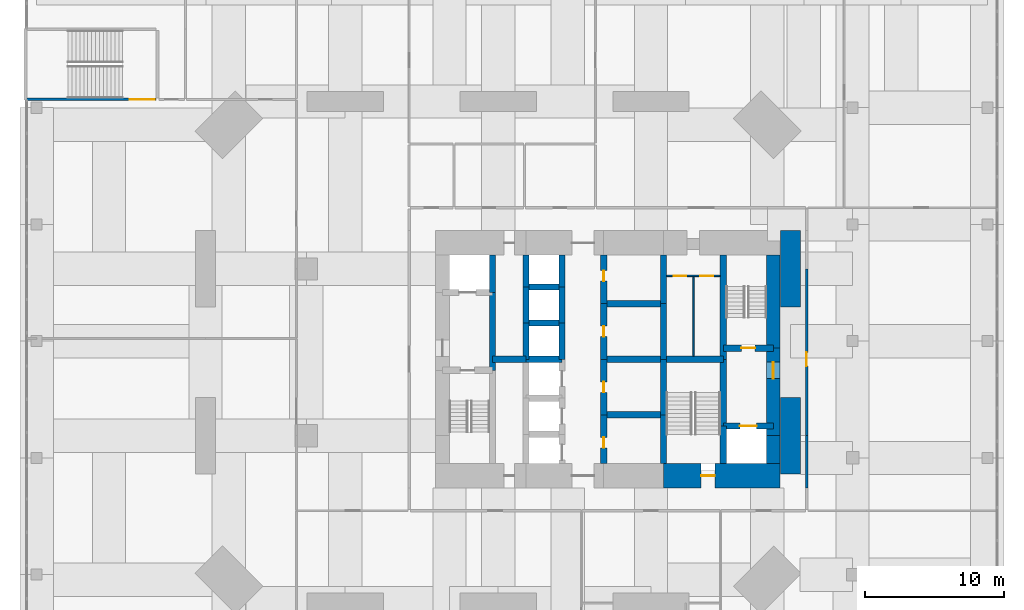
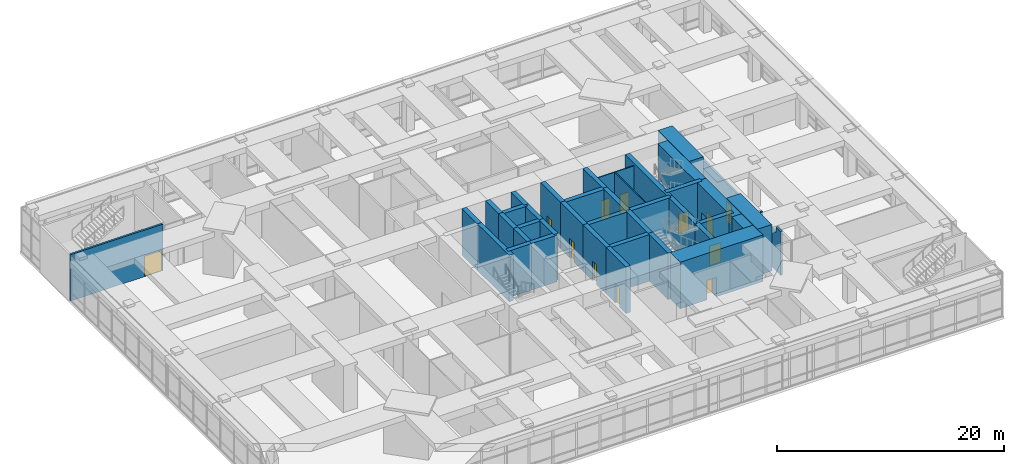
# One storey, part 19 of 22: 40 walls, 12 doors, 12 openings.
"""IFC4 building model written with IfcOpenShell, lengths in metres."""

from ifc_helpers import new_model, si_unit, direction, frame, frame_2d, origin, place, context, subcontext, project, spatial, polyline, rectangle, outline, extrude, material, layer, layer_set, constituent, constituent_set, type_object, element, fill, save


model = new_model("IFC4")

# Units and contexts
model_context = context("Model", 3, precision=1e-05, world=origin(), true_north=direction((0.0, 1.0)))
body_context = subcontext(model_context, "Body", "Model", "MODEL_VIEW")
ifc_project = project(units=[si_unit("LENGTHUNIT", "METRE"), si_unit("AREAUNIT", "SQUARE_METRE"), si_unit("VOLUMEUNIT", "CUBIC_METRE"), si_unit("PLANEANGLEUNIT", "RADIAN"), si_unit("MASSUNIT", "GRAM", prefix="KILO")], contexts=[model_context])

# Site, building, storey
site_placement = place(None, origin())
site = spatial("IfcSite", under=ifc_project, at=site_placement, CompositionType="ELEMENT")
building_placement = place(site_placement, origin())
building = spatial("IfcBuilding", under=site, at=building_placement, Name="Jalousie Tower", CompositionType="ELEMENT")
storey_placement = place(building_placement, frame((0.0, 0.0, 6.0)))
storey = spatial("IfcBuildingStorey", under=building, at=storey_placement, Name="L01", CompositionType="ELEMENT", Elevation=6.0)

# Wall
ifc_material_1 = material(Name="Concrete f'c 120 MPa", Category="concrete")
ifc_layer_1 = layer(ifc_material_1, 1.0)
ifc_layer_set_1 = layer_set([ifc_layer_1], Name="Concrete f'c 120 MPa")
wall_type_1 = type_object("IfcWallType", Name="CORE WALL 1000", PredefinedType="SHEAR", material=ifc_layer_set_1)
wall_1_placement = place(storey_placement, frame((43.800048828125, 11.0, 0.0), z_axis=(0.0, 0.0, 1.0), x_axis=(0.0, 1.0, 0.0)))
element("IfcWall", 1, at=wall_1_placement, inside=storey, type_object=wall_type_1, Name="Core wall EA L01", PredefinedType="SHEAR", context=body_context, shape_type="SweptSolid", body=[
    extrude(rectangle(XDim=2.0, YDim=1.0, at=frame_2d((1.0, 0.0))), origin(), (0.0, 0.0, 1.0), 5.0),
])

# Wall, opening, door
wall_2_placement = place(storey_placement, frame((43.800048828125, 13.0, 0.0), z_axis=(0.0, 0.0, 1.0), x_axis=(0.0, 1.0, 0.0)))
wall_2 = element("IfcWall", 2, at=wall_2_placement, inside=storey, type_object=wall_type_1, Name="Core wall EB L01", PredefinedType="SHEAR", context=body_context, shape_type="SweptSolid", body=[
    extrude(rectangle(XDim=6.300048828125, YDim=1.0, at=frame_2d((3.14990234375, 0.0))), origin(), (0.0, 0.0, 1.0), 5.0),
])
opening_1_placement = place(wall_2_placement, frame((4.10009765625, 0.0, 0.0)))
opening_1 = element("IfcOpeningElement", 3, at=opening_1_placement, cuts=wall_2, Name="Opening D11", PredefinedType="OPENING", context=body_context, shape_type="SweptSolid", body=[
    extrude(rectangle(XDim=1.199951171875, YDim=2.199951171875, at=frame_2d((0.60009765625, 1.10009765625))), frame((0.0, 0.510009765625, 0.0), z_axis=(0.0, -1.0, 0.0), x_axis=(1.0, 0.0, 0.0)), (0.0, 0.0, 1.0), 1.02001953125),
])
ifc_material_2 = material(Name="Steel fire door", Category="steel")
door_type_1 = type_object("IfcDoorType", Name="FIRE DOOR 1200", OperationType="SINGLE_SWING_LEFT", PredefinedType="DOOR", material=ifc_material_2)
door_1_placement = place(opening_1_placement, origin())
door_1 = element("IfcDoor", 4, at=door_1_placement, inside=storey, type_object=door_type_1, Name="Fire-fighting lobby B door", OperationType="SINGLE_SWING_RIGHT", OverallHeight=2.199951171875, OverallWidth=1.199951171875, PredefinedType="DOOR", context=body_context, shape_type="SweptSolid", body=[
    extrude(rectangle(XDim=1.199951171875, YDim=2.199951171875, at=frame_2d((0.60009765625, 1.10009765625))), frame((0.0, 0.02490234375, 0.0), z_axis=(0.0, -1.0, 0.0), x_axis=(1.0, 0.0, 0.0)), (0.0, 0.0, 1.0), 0.050048828125),
])
fill(opening_1, door_1)

# Wall
wall_3_placement = place(storey_placement, frame((43.800048828125, 19.300048828125, 0.0), z_axis=(0.0, 0.0, 1.0), x_axis=(0.0, 1.0, 0.0)))
element("IfcWall", 5, at=wall_3_placement, inside=storey, type_object=wall_type_1, Name="Core wall EC L01", PredefinedType="SHEAR", context=body_context, shape_type="SweptSolid", body=[
    extrude(rectangle(XDim=6.699951171875, YDim=1.0, at=frame_2d((3.35009765625, 0.0))), origin(), (0.0, 0.0, 1.0), 5.0),
])

# Wall, opening, door
ifc_material_3 = material(Name="Concrete f'c 120 MPa", Category="concrete")
ifc_layer_2 = layer(ifc_material_3, 1.75)
ifc_layer_set_2 = layer_set([ifc_layer_2], Name="Concrete f'c 120 MPa")
wall_type_2 = type_object("IfcWallType", Name="CORE WALL 1750", PredefinedType="SHEAR", material=ifc_layer_set_2)
wall_4_placement = place(storey_placement, frame((35.89990234375, 10.125, 0.0), z_axis=(0.0, 0.0, 1.0), x_axis=(1.0, 0.0, 0.0)))
wall_4 = element("IfcWall", 6, at=wall_4_placement, inside=storey, type_object=wall_type_2, Name="Core wall SD L01", PredefinedType="SHEAR", context=body_context, shape_type="SweptSolid", body=[
    extrude(rectangle(XDim=8.400146484375, YDim=1.75, at=frame_2d((4.2001953125, 0.0))), origin(), (0.0, 0.0, 1.0), 5.0),
])
opening_2_placement = place(wall_4_placement, frame((2.699951171875, 0.0, 0.0)))
opening_2 = element("IfcOpeningElement", 7, at=opening_2_placement, cuts=wall_4, Name="Opening D10", PredefinedType="OPENING", context=body_context, shape_type="SweptSolid", body=[
    extrude(rectangle(XDim=1.0, YDim=2.10009765625, at=frame_2d((0.5, 1.050048828125))), frame((0.0, 0.885009765625, 0.0), z_axis=(0.0, -1.0, 0.0), x_axis=(1.0, 0.0, 0.0)), (0.0, 0.0, 1.0), 1.77001953125),
])
ifc_material_4 = material(Name="Steel fire door", Category="steel")
door_type_2 = type_object("IfcDoorType", Name="STAIR DOOR 1000", OperationType="SINGLE_SWING_LEFT", PredefinedType="DOOR", material=ifc_material_4)
door_2_placement = place(opening_2_placement, origin())
door_2 = element("IfcDoor", 8, at=door_2_placement, inside=storey, type_object=door_type_2, Name="Exit stair C door", OperationType="SINGLE_SWING_RIGHT", OverallHeight=2.10009765625, OverallWidth=1.0, PredefinedType="DOOR", context=body_context, shape_type="SweptSolid", body=[
    extrude(rectangle(XDim=1.0, YDim=2.10009765625, at=frame_2d((0.5, 1.050048828125))), frame((0.0, 0.02490234375, 0.0), z_axis=(0.0, -1.0, 0.0), x_axis=(1.0, 0.0, 0.0)), (0.0, 0.0, 1.0), 0.050048828125),
])
fill(opening_2, door_2)

# Walls
ifc_material_5 = material(Name="Concrete f'c 120 MPa", Category="concrete")
ifc_layer_3 = layer(ifc_material_5, 0.449951171875)
ifc_layer_set_3 = layer_set([ifc_layer_3], Name="Concrete f'c 120 MPa")
wall_type_3 = type_object("IfcWallType", Name="CORE WALL 450", PredefinedType="SHEAR", material=ifc_layer_set_3)
wall_5_placement = place(storey_placement, frame((23.60009765625, 17.699951171875, 0.0), z_axis=(0.0, 0.0, 1.0), x_axis=(0.0, 1.0, 0.0)))
element("IfcWall", 9, at=wall_5_placement, inside=storey, type_object=wall_type_3, Name="Core wall X23.6B L01", PredefinedType="SHEAR", context=body_context, shape_type="SweptSolid", body=[
    extrude(rectangle(XDim=5.60009765625, YDim=0.449951171875, at=frame_2d((2.800048828125, 0.0))), origin(), (0.0, 0.0, 1.0), 5.0),
])
wall_6_placement = place(storey_placement, frame((23.60009765625, 23.300048828125, 0.0), z_axis=(0.0, 0.0, 1.0), x_axis=(0.0, 1.0, 0.0)))
element("IfcWall", 10, at=wall_6_placement, inside=storey, type_object=wall_type_3, Name="Core wall X23.6C L01", PredefinedType="SHEAR", context=body_context, shape_type="SweptSolid", body=[
    extrude(rectangle(XDim=2.699951171875, YDim=0.449951171875, at=frame_2d((1.35009765625, 0.0))), origin(), (0.0, 0.0, 1.0), 5.0),
])
wall_7_placement = place(storey_placement, frame((26.0, 18.5, 0.0), z_axis=(0.0, 0.0, 1.0), x_axis=(0.0, 1.0, 0.0)))
element("IfcWall", 11, at=wall_7_placement, inside=storey, type_object=wall_type_3, Name="Core wall X26D L01", PredefinedType="SHEAR", context=body_context, shape_type="SweptSolid", body=[
    extrude(rectangle(XDim=2.60009765625, YDim=0.449951171875, at=frame_2d((1.300048828125, 0.0))), origin(), (0.0, 0.0, 1.0), 5.0),
])
wall_8_placement = place(storey_placement, frame((26.0, 21.10009765625, 0.0), z_axis=(0.0, 0.0, 1.0), x_axis=(0.0, 1.0, 0.0)))
element("IfcWall", 12, at=wall_8_placement, inside=storey, type_object=wall_type_3, Name="Core wall X26E L01", PredefinedType="SHEAR", context=body_context, shape_type="SweptSolid", body=[
    extrude(rectangle(XDim=2.599853515625, YDim=0.449951171875, at=frame_2d((1.2998046875, 0.0))), origin(), (0.0, 0.0, 1.0), 5.0),
])
wall_9_placement = place(storey_placement, frame((26.0, 23.699951171875, 0.0), z_axis=(0.0, 0.0, 1.0), x_axis=(0.0, 1.0, 0.0)))
element("IfcWall", 13, at=wall_9_placement, inside=storey, type_object=wall_type_3, Name="Core wall X26F L01", PredefinedType="SHEAR", context=body_context, shape_type="SweptSolid", body=[
    extrude(rectangle(XDim=2.300048828125, YDim=0.449951171875, at=frame_2d((1.14990234375, 0.0))), origin(), (0.0, 0.0, 1.0), 5.0),
])
wall_10_placement = place(storey_placement, frame((28.60009765625, 18.5, 0.0), z_axis=(0.0, 0.0, 1.0), x_axis=(0.0, 1.0, 0.0)))
element("IfcWall", 14, at=wall_10_placement, inside=storey, type_object=wall_type_3, Name="Core wall X28.6D L01", PredefinedType="SHEAR", context=body_context, shape_type="SweptSolid", body=[
    extrude(rectangle(XDim=2.60009765625, YDim=0.449951171875, at=frame_2d((1.300048828125, 0.0))), origin(), (0.0, 0.0, 1.0), 5.0),
])
wall_11_placement = place(storey_placement, frame((28.60009765625, 21.10009765625, 0.0), z_axis=(0.0, 0.0, 1.0), x_axis=(0.0, 1.0, 0.0)))
element("IfcWall", 15, at=wall_11_placement, inside=storey, type_object=wall_type_3, Name="Core wall X28.6E L01", PredefinedType="SHEAR", context=body_context, shape_type="SweptSolid", body=[
    extrude(rectangle(XDim=2.599853515625, YDim=0.449951171875, at=frame_2d((1.2998046875, 0.0))), origin(), (0.0, 0.0, 1.0), 5.0),
])
wall_12_placement = place(storey_placement, frame((28.60009765625, 23.699951171875, 0.0), z_axis=(0.0, 0.0, 1.0), x_axis=(0.0, 1.0, 0.0)))
element("IfcWall", 16, at=wall_12_placement, inside=storey, type_object=wall_type_3, Name="Core wall X28.6F L01", PredefinedType="SHEAR", context=body_context, shape_type="SweptSolid", body=[
    extrude(rectangle(XDim=2.300048828125, YDim=0.449951171875, at=frame_2d((1.14990234375, 0.0))), origin(), (0.0, 0.0, 1.0), 5.0),
])

# Wall, opening, door
wall_13_placement = place(storey_placement, frame((31.60009765625, 11.0, 0.0), z_axis=(0.0, 0.0, 1.0), x_axis=(0.0, 1.0, 0.0)))
wall_13 = element("IfcWall", 17, at=wall_13_placement, inside=storey, type_object=wall_type_3, Name="Core wall X31.6A L01", PredefinedType="SHEAR", context=body_context, shape_type="SweptSolid", body=[
    extrude(rectangle(XDim=3.5, YDim=0.449951171875, at=frame_2d((1.75, 0.0))), origin(), (0.0, 0.0, 1.0), 5.0),
])
opening_3_placement = place(wall_13_placement, frame((1.125, 0.0, 0.0)))
opening_3 = element("IfcOpeningElement", 18, at=opening_3_placement, cuts=wall_13, Name="Opening D16", PredefinedType="OPENING", context=body_context, shape_type="SweptSolid", body=[
    extrude(rectangle(XDim=0.75, YDim=2.10009765625, at=frame_2d((0.375, 1.050048828125))), frame((0.0, 0.23486328125, 0.0), z_axis=(0.0, -1.0, 0.0), x_axis=(1.0, 0.0, 0.0)), (0.0, 0.0, 1.0), 0.469970703125),
])
ifc_material_6 = material(Name="Steel fire door", Category="steel")
door_type_3 = type_object("IfcDoorType", Name="RISER DOOR 750", OperationType="SINGLE_SWING_LEFT", PredefinedType="DOOR", material=ifc_material_6)
door_3_placement = place(opening_3_placement, frame((0.75, 0.0, 0.0), z_axis=(0.0, 0.0, 1.0), x_axis=(-1.0, 0.0, 0.0)))
door_3 = element("IfcDoor", 19, at=door_3_placement, inside=storey, type_object=door_type_3, Name="Refuse Room door", OperationType="SINGLE_SWING_RIGHT", OverallHeight=2.10009765625, OverallWidth=0.75, PredefinedType="DOOR", context=body_context, shape_type="SweptSolid", body=[
    extrude(rectangle(XDim=0.75, YDim=2.10009765625, at=frame_2d((0.375, 1.050048828125))), frame((0.0, 0.02490234375, 0.0), z_axis=(0.0, -1.0, 0.0), x_axis=(1.0, 0.0, 0.0)), (0.0, 0.0, 1.0), 0.050048828125),
])
fill(opening_3, door_3)

wall_14_placement = place(storey_placement, frame((31.60009765625, 14.5, 0.0), z_axis=(0.0, 0.0, 1.0), x_axis=(0.0, 1.0, 0.0)))
wall_14 = element("IfcWall", 20, at=wall_14_placement, inside=storey, type_object=wall_type_3, Name="Core wall X31.6B L01", PredefinedType="SHEAR", context=body_context, shape_type="SweptSolid", body=[
    extrude(rectangle(XDim=4.0, YDim=0.449951171875, at=frame_2d((2.0, 0.0))), origin(), (0.0, 0.0, 1.0), 5.0),
])
opening_4_placement = place(wall_14_placement, frame((1.625, 0.0, 0.0)))
opening_4 = element("IfcOpeningElement", 21, at=opening_4_placement, cuts=wall_14, Name="Opening D16", PredefinedType="OPENING", context=body_context, shape_type="SweptSolid", body=[
    extrude(rectangle(XDim=0.75, YDim=2.10009765625, at=frame_2d((0.375, 1.050048828125))), frame((0.0, 0.23486328125, 0.0), z_axis=(0.0, -1.0, 0.0), x_axis=(1.0, 0.0, 0.0)), (0.0, 0.0, 1.0), 0.469970703125),
])
door_4_placement = place(opening_4_placement, frame((0.75, 0.0, 0.0), z_axis=(0.0, 0.0, 1.0), x_axis=(-1.0, 0.0, 0.0)))
door_4 = element("IfcDoor", 22, at=door_4_placement, inside=storey, type_object=door_type_3, Name="Electrical Room door", OperationType="SINGLE_SWING_RIGHT", OverallHeight=2.10009765625, OverallWidth=0.75, PredefinedType="DOOR", context=body_context, shape_type="SweptSolid", body=[
    extrude(rectangle(XDim=0.75, YDim=2.10009765625, at=frame_2d((0.375, 1.050048828125))), frame((0.0, 0.02490234375, 0.0), z_axis=(0.0, -1.0, 0.0), x_axis=(1.0, 0.0, 0.0)), (0.0, 0.0, 1.0), 0.050048828125),
])
fill(opening_4, door_4)

wall_15_placement = place(storey_placement, frame((31.60009765625, 18.5, 0.0), z_axis=(0.0, 0.0, 1.0), x_axis=(0.0, 1.0, 0.0)))
wall_15 = element("IfcWall", 23, at=wall_15_placement, inside=storey, type_object=wall_type_3, Name="Core wall X31.6C L01", PredefinedType="SHEAR", context=body_context, shape_type="SweptSolid", body=[
    extrude(rectangle(XDim=4.0, YDim=0.449951171875, at=frame_2d((2.0, 0.0))), origin(), (0.0, 0.0, 1.0), 5.0),
])
opening_5_placement = place(wall_15_placement, frame((1.625, 0.0, 0.0)))
opening_5 = element("IfcOpeningElement", 24, at=opening_5_placement, cuts=wall_15, Name="Opening D16", PredefinedType="OPENING", context=body_context, shape_type="SweptSolid", body=[
    extrude(rectangle(XDim=0.75, YDim=2.10009765625, at=frame_2d((0.375, 1.050048828125))), frame((0.0, 0.23486328125, 0.0), z_axis=(0.0, -1.0, 0.0), x_axis=(1.0, 0.0, 0.0)), (0.0, 0.0, 1.0), 0.469970703125),
])
door_5_placement = place(opening_5_placement, frame((0.75, 0.0, 0.0), z_axis=(0.0, 0.0, 1.0), x_axis=(-1.0, 0.0, 0.0)))
door_5 = element("IfcDoor", 25, at=door_5_placement, inside=storey, type_object=door_type_3, Name="Telecom Room door", OperationType="SINGLE_SWING_RIGHT", OverallHeight=2.10009765625, OverallWidth=0.75, PredefinedType="DOOR", context=body_context, shape_type="SweptSolid", body=[
    extrude(rectangle(XDim=0.75, YDim=2.10009765625, at=frame_2d((0.375, 1.050048828125))), frame((0.0, 0.02490234375, 0.0), z_axis=(0.0, -1.0, 0.0), x_axis=(1.0, 0.0, 0.0)), (0.0, 0.0, 1.0), 0.050048828125),
])
fill(opening_5, door_5)

wall_16_placement = place(storey_placement, frame((31.60009765625, 22.5, 0.0), z_axis=(0.0, 0.0, 1.0), x_axis=(0.0, 1.0, 0.0)))
wall_16 = element("IfcWall", 26, at=wall_16_placement, inside=storey, type_object=wall_type_3, Name="Core wall X31.6D L01", PredefinedType="SHEAR", context=body_context, shape_type="SweptSolid", body=[
    extrude(rectangle(XDim=3.5, YDim=0.449951171875, at=frame_2d((1.75, 0.0))), origin(), (0.0, 0.0, 1.0), 5.0),
])
opening_6_placement = place(wall_16_placement, frame((1.625, 0.0, 0.0)))
opening_6 = element("IfcOpeningElement", 27, at=opening_6_placement, cuts=wall_16, Name="Opening D16", PredefinedType="OPENING", context=body_context, shape_type="SweptSolid", body=[
    extrude(rectangle(XDim=0.75, YDim=2.10009765625, at=frame_2d((0.375, 1.050048828125))), frame((0.0, 0.23486328125, 0.0), z_axis=(0.0, -1.0, 0.0), x_axis=(1.0, 0.0, 0.0)), (0.0, 0.0, 1.0), 0.469970703125),
])
door_6_placement = place(opening_6_placement, frame((0.75, 0.0, 0.0), z_axis=(0.0, 0.0, 1.0), x_axis=(-1.0, 0.0, 0.0)))
door_6 = element("IfcDoor", 28, at=door_6_placement, inside=storey, type_object=door_type_3, Name="Water Services Room door", OperationType="SINGLE_SWING_LEFT", OverallHeight=2.10009765625, OverallWidth=0.75, PredefinedType="DOOR", context=body_context, shape_type="SweptSolid", body=[
    extrude(rectangle(XDim=0.75, YDim=2.10009765625, at=frame_2d((0.375, 1.050048828125))), frame((0.0, 0.02490234375, 0.0), z_axis=(0.0, -1.0, 0.0), x_axis=(1.0, 0.0, 0.0)), (0.0, 0.0, 1.0), 0.050048828125),
])
fill(opening_6, door_6)

# Walls
wall_17_placement = place(storey_placement, frame((35.89990234375, 11.0, 0.0), z_axis=(0.0, 0.0, 1.0), x_axis=(0.0, 1.0, 0.0)))
element("IfcWall", 29, at=wall_17_placement, inside=storey, type_object=wall_type_3, Name="Core wall X35.9A L01", PredefinedType="SHEAR", context=body_context, shape_type="SweptSolid", body=[
    extrude(rectangle(XDim=3.5, YDim=0.449951171875, at=frame_2d((1.75, 0.0))), origin(), (0.0, 0.0, 1.0), 5.0),
])
for number, where, z_axis, x_axis, name in (
    (30, (35.89990234375, 14.5, 0.0), (0.0, 0.0, 1.0), (0.0, 1.0, 0.0), "Core wall X35.9B L01"),
    (31, (35.89990234375, 18.5, 0.0), (0.0, 0.0, 1.0), (0.0, 1.0, 0.0), "Core wall X35.9C L01"),
):
    element("IfcWall", number, at=place(storey_placement, frame(where, z_axis=z_axis, x_axis=x_axis)), inside=storey, type_object=wall_type_3, Name=name, PredefinedType="SHEAR", context=body_context, shape_type="SweptSolid", body=[
        extrude(rectangle(XDim=4.0, YDim=0.449951171875, at=frame_2d((2.0, 0.0))), origin(), (0.0, 0.0, 1.0), 5.0),
    ])
wall_18_placement = place(storey_placement, frame((35.89990234375, 22.5, 0.0), z_axis=(0.0, 0.0, 1.0), x_axis=(0.0, 1.0, 0.0)))
element("IfcWall", 32, at=wall_18_placement, inside=storey, type_object=wall_type_3, Name="Core wall X35.9D L01", PredefinedType="SHEAR", context=body_context, shape_type="SweptSolid", body=[
    extrude(rectangle(XDim=3.5, YDim=0.449951171875, at=frame_2d((1.75, 0.0))), origin(), (0.0, 0.0, 1.0), 5.0),
])
wall_19_placement = place(storey_placement, frame((40.199951171875, 11.0, 0.0), z_axis=(0.0, 0.0, 1.0), x_axis=(0.0, 1.0, 0.0)))
element("IfcWall", 33, at=wall_19_placement, inside=storey, type_object=wall_type_3, Name="Core wall X40.2A L01", PredefinedType="SHEAR", context=body_context, shape_type="SweptSolid", body=[
    extrude(rectangle(XDim=2.699951171875, YDim=0.449951171875, at=frame_2d((1.35009765625, 0.0))), origin(), (0.0, 0.0, 1.0), 5.0),
])
wall_20_placement = place(storey_placement, frame((40.199951171875, 13.699951171875, 0.0), z_axis=(0.0, 0.0, 1.0), x_axis=(0.0, 1.0, 0.0)))
element("IfcWall", 34, at=wall_20_placement, inside=storey, type_object=wall_type_3, Name="Core wall X40.2B L01", PredefinedType="SHEAR", context=body_context, shape_type="SweptSolid", body=[
    extrude(rectangle(XDim=4.800048828125, YDim=0.449951171875, at=frame_2d((2.39990234375, 0.0))), origin(), (0.0, 0.0, 1.0), 5.0),
])
wall_21_placement = place(storey_placement, frame((40.199951171875, 18.5, 0.0), z_axis=(0.0, 0.0, 1.0), x_axis=(0.0, 1.0, 0.0)))
element("IfcWall", 35, at=wall_21_placement, inside=storey, type_object=wall_type_3, Name="Core wall X40.2C L01", PredefinedType="SHEAR", context=body_context, shape_type="SweptSolid", body=[
    extrude(rectangle(XDim=7.5, YDim=0.449951171875, at=frame_2d((3.75, 0.0))), origin(), (0.0, 0.0, 1.0), 5.0),
])
wall_22_placement = place(storey_placement, frame((23.60009765625, 18.5, 0.0), z_axis=(0.0, 0.0, 1.0), x_axis=(1.0, 0.0, 0.0)))
element("IfcWall", 36, at=wall_22_placement, inside=storey, type_object=wall_type_3, Name="Core wall Y23.6-18.5 L01", PredefinedType="SHEAR", context=body_context, shape_type="SweptSolid", body=[
    extrude(rectangle(XDim=2.39990234375, YDim=0.449951171875, at=frame_2d((1.199951171875, 0.0))), origin(), (0.0, 0.0, 1.0), 5.0),
])
for number, where, z_axis, x_axis, name in (
    (37, (26.0, 18.5, 0.0), (0.0, 0.0, 1.0), (1.0, 0.0, 0.0), "Core wall Y26-18.5 L01"),
    (38, (26.0, 21.10009765625, 0.0), (0.0, 0.0, 1.0), (1.0, 0.0, 0.0), "Core wall Y26-21.1 L01"),
    (39, (26.0, 23.699951171875, 0.0), (0.0, 0.0, 1.0), (1.0, 0.0, 0.0), "Core wall Y26-23.7 L01"),
):
    element("IfcWall", number, at=place(storey_placement, frame(where, z_axis=z_axis, x_axis=x_axis)), inside=storey, type_object=wall_type_3, Name=name, PredefinedType="SHEAR", context=body_context, shape_type="SweptSolid", body=[
        extrude(rectangle(XDim=2.60009765625, YDim=0.449951171875, at=frame_2d((1.300048828125, 0.0))), origin(), (0.0, 0.0, 1.0), 5.0),
    ])
for number, where, z_axis, x_axis, name in (
    (40, (31.60009765625, 14.5, 0.0), (0.0, 0.0, 1.0), (1.0, 0.0, 0.0), "Core wall Y31.6-14.5 L01"),
    (41, (31.60009765625, 18.5, 0.0), (0.0, 0.0, 1.0), (1.0, 0.0, 0.0), "Core wall Y31.6-18.5 L01"),
    (42, (31.60009765625, 22.5, 0.0), (0.0, 0.0, 1.0), (1.0, 0.0, 0.0), "Core wall Y31.6-22.5 L01"),
):
    element("IfcWall", number, at=place(storey_placement, frame(where, z_axis=z_axis, x_axis=x_axis)), inside=storey, type_object=wall_type_3, Name=name, PredefinedType="SHEAR", context=body_context, shape_type="SweptSolid", body=[
        extrude(rectangle(XDim=4.2998046875, YDim=0.449951171875, at=frame_2d((2.14990234375, 0.0))), origin(), (0.0, 0.0, 1.0), 5.0),
    ])
wall_23_placement = place(storey_placement, frame((35.89990234375, 18.5, 0.0), z_axis=(0.0, 0.0, 1.0), x_axis=(1.0, 0.0, 0.0)))
element("IfcWall", 43, at=wall_23_placement, inside=storey, type_object=wall_type_3, Name="Core wall Y35.9-18.5 L01", PredefinedType="SHEAR", context=body_context, shape_type="SweptSolid", body=[
    extrude(rectangle(XDim=4.300048828125, YDim=0.449951171875, at=frame_2d((2.14990234375, 0.0))), origin(), (0.0, 0.0, 1.0), 5.0),
])

# Wall, opening, door
wall_24_placement = place(storey_placement, frame((40.199951171875, 13.699951171875, 0.0), z_axis=(0.0, 0.0, 1.0), x_axis=(1.0, 0.0, 0.0)))
wall_24 = element("IfcWall", 44, at=wall_24_placement, inside=storey, type_object=wall_type_3, Name="Core wall Y40.2-13.7 L01", PredefinedType="SHEAR", context=body_context, shape_type="SweptSolid", body=[
    extrude(rectangle(XDim=3.60009765625, YDim=0.449951171875, at=frame_2d((1.800048828125, 0.0))), origin(), (0.0, 0.0, 1.0), 5.0),
])
opening_7_placement = place(wall_24_placement, frame((1.199951171875, 0.0, 0.0)))
opening_7 = element("IfcOpeningElement", 45, at=opening_7_placement, cuts=wall_24, Name="Opening LD2", PredefinedType="OPENING", context=body_context, shape_type="SweptSolid", body=[
    extrude(rectangle(XDim=1.199951171875, YDim=2.10009765625, at=frame_2d((0.60009765625, 1.050048828125))), frame((0.0, 0.23486328125, 0.0), z_axis=(0.0, -1.0, 0.0), x_axis=(1.0, 0.0, 0.0)), (0.0, 0.0, 1.0), 0.469970703125),
])
ifc_material_7 = material(Name="Steel lift landing door", Category="steel")
door_type_4 = type_object("IfcDoorType", Name="LIFT LANDING DOOR 1200", OperationType="SLIDING_TO_LEFT", PredefinedType="DOOR", material=ifc_material_7)
door_7_placement = place(opening_7_placement, origin())
door_7 = element("IfcDoor", 46, at=door_7_placement, inside=storey, type_object=door_type_4, Name="Lift F2 landing door", OperationType="SLIDING_TO_LEFT", OverallHeight=2.10009765625, OverallWidth=1.199951171875, PredefinedType="DOOR", context=body_context, shape_type="SweptSolid", body=[
    extrude(rectangle(XDim=1.199951171875, YDim=2.10009765625, at=frame_2d((0.60009765625, 1.050048828125))), frame((0.0, 0.02490234375, 0.0), z_axis=(0.0, -1.0, 0.0), x_axis=(1.0, 0.0, 0.0)), (0.0, 0.0, 1.0), 0.050048828125),
])
fill(opening_7, door_7)

wall_25_placement = place(storey_placement, frame((40.199951171875, 19.300048828125, 0.0), z_axis=(0.0, 0.0, 1.0), x_axis=(1.0, 0.0, 0.0)))
wall_25 = element("IfcWall", 47, at=wall_25_placement, inside=storey, type_object=wall_type_3, Name="Core wall Y40.2-19.3 L01", PredefinedType="SHEAR", context=body_context, shape_type="SweptSolid", body=[
    extrude(rectangle(XDim=3.60009765625, YDim=0.449951171875, at=frame_2d((1.800048828125, 0.0))), origin(), (0.0, 0.0, 1.0), 5.0),
])
opening_8_placement = place(wall_25_placement, frame((1.300048828125, 0.0, 0.0)))
opening_8 = element("IfcOpeningElement", 48, at=opening_8_placement, cuts=wall_25, Name="Opening D10", PredefinedType="OPENING", context=body_context, shape_type="SweptSolid", body=[
    extrude(rectangle(XDim=1.0, YDim=2.10009765625, at=frame_2d((0.5, 1.050048828125))), frame((0.0, 0.23486328125, 0.0), z_axis=(0.0, -1.0, 0.0), x_axis=(1.0, 0.0, 0.0)), (0.0, 0.0, 1.0), 0.469970703125),
])
door_8_placement = place(opening_8_placement, origin())
door_8 = element("IfcDoor", 49, at=door_8_placement, inside=storey, type_object=door_type_2, Name="Exit stair B door", OperationType="SINGLE_SWING_RIGHT", OverallHeight=2.10009765625, OverallWidth=1.0, PredefinedType="DOOR", context=body_context, shape_type="SweptSolid", body=[
    extrude(rectangle(XDim=1.0, YDim=2.10009765625, at=frame_2d((0.5, 1.050048828125))), frame((0.0, 0.02490234375, 0.0), z_axis=(0.0, -1.0, 0.0), x_axis=(1.0, 0.0, 0.0)), (0.0, 0.0, 1.0), 0.050048828125),
])
fill(opening_8, door_8)

# Wall
ifc_material_8 = material(Name="Concrete block ASTM C90", Category="concrete")
ifc_constituent_1 = constituent(ifc_material_8, Name="Body")
ifc_material_9 = material(Name="Render")
ifc_constituent_2 = constituent(ifc_material_9, Name="Finish")
ifc_constituent_set_1 = constituent_set(constituents=[ifc_constituent_1, ifc_constituent_2])
wall_type_4 = type_object("IfcWallType", Name="CORRIDOR WALL 200", PredefinedType="PARTITIONING", material=ifc_constituent_set_1)
wall_26_placement = place(storey_placement, frame((46.199951171875, 9.25, 0.0), z_axis=(0.0, 0.0, 1.0), x_axis=(0.0, 1.0, 0.0)))
element("IfcWall", 50, at=wall_26_placement, inside=storey, type_object=wall_type_4, Name="Corridor Wall 200 L01-A", PredefinedType="PARTITIONING", context=body_context, shape_type="SweptSolid", body=[
    extrude(outline(polyline([(0.0, 0.0), (3.75, 0.0), (3.75, 4.1201171875), (3.639892578125, 4.1201171875), (3.639892578125, 4.719970703125), (3.4599609375, 4.719970703125), (3.4599609375, 4.1201171875), (0.840087890625, 4.1201171875), (0.840087890625, 4.719970703125), (0.0, 4.719970703125), (0.0, 0.0)])), frame((0.0, 0.10009765625, 0.0), z_axis=(0.0, -1.0, 0.0), x_axis=(1.0, 0.0, 0.0)), (0.0, 0.0, 1.0), 0.199951171875),
])

# Wall, opening, door
wall_27_placement = place(storey_placement, frame((46.199951171875, 13.0, 0.0), z_axis=(0.0, 0.0, 1.0), x_axis=(0.0, 1.0, 0.0)))
wall_27 = element("IfcWall", 51, at=wall_27_placement, inside=storey, type_object=wall_type_4, Name="Corridor Wall 200 L01-B", PredefinedType="PARTITIONING", context=body_context, shape_type="SweptSolid", body=[
    extrude(rectangle(XDim=12.0, YDim=0.199951171875, at=frame_2d((6.0, 0.0))), origin(), (0.0, 0.0, 1.0), 4.1201171875),
])
opening_9_placement = place(wall_27_placement, frame((5.0, 0.0, 0.0)))
opening_9 = element("IfcOpeningElement", 52, at=opening_9_placement, cuts=wall_27, Name="Opening D21", PredefinedType="OPENING", context=body_context, shape_type="SweptSolid", body=[
    extrude(rectangle(XDim=1.0, YDim=2.10009765625, at=frame_2d((0.5, 1.050048828125))), frame((0.0, 0.10986328125, 0.0), z_axis=(0.0, -1.0, 0.0), x_axis=(1.0, 0.0, 0.0)), (0.0, 0.0, 1.0), 0.219970703125),
])
ifc_material_10 = material(Name="Timber fire door", Category="wood")
door_type_5 = type_object("IfcDoorType", Name="CORRIDOR DOOR 1000", OperationType="SINGLE_SWING_LEFT", PredefinedType="DOOR", material=ifc_material_10)
door_9_placement = place(opening_9_placement, frame((1.0, 0.0, 0.0), z_axis=(0.0, 0.0, 1.0), x_axis=(-1.0, 0.0, 0.0)))
door_9 = element("IfcDoor", 53, at=door_9_placement, inside=storey, type_object=door_type_5, Name="Games room door", OperationType="SINGLE_SWING_RIGHT", OverallHeight=2.10009765625, OverallWidth=1.0, PredefinedType="DOOR", context=body_context, shape_type="SweptSolid", body=[
    extrude(rectangle(XDim=1.0, YDim=2.10009765625, at=frame_2d((0.5, 1.050048828125))), frame((0.0, 0.02490234375, 0.0), z_axis=(0.0, -1.0, 0.0), x_axis=(1.0, 0.0, 0.0)), (0.0, 0.0, 1.0), 0.050048828125),
])
fill(opening_9, door_9)

# Wall, openings, doors
ifc_material_11 = material(Name="Gypsum board", Category="gypsum")
ifc_constituent_3 = constituent(ifc_material_11, Name="Body")
ifc_material_12 = material(Name="Light-gauge steel studs ASTM A653 SS Grade 33", Category="steel")
ifc_constituent_4 = constituent(ifc_material_12, Name="Framing")
ifc_constituent_set_2 = constituent_set(constituents=[ifc_constituent_3, ifc_constituent_4])
wall_type_5 = type_object("IfcWallType", Name="PARTITION 100", PredefinedType="PARTITIONING", material=ifc_constituent_set_2)
wall_28_placement = place(storey_placement, frame((36.125, 24.5, 0.0), z_axis=(0.0, 0.0, 1.0), x_axis=(1.0, 0.0, 0.0)))
wall_28 = element("IfcWall", 54, at=wall_28_placement, inside=storey, type_object=wall_type_5, Name="Partition 100 L01", PredefinedType="PARTITIONING", context=body_context, shape_type="SweptSolid", body=[
    extrude(rectangle(XDim=3.85009765625, YDim=0.10009765625, at=frame_2d((1.925048828125, 0.0))), origin(), (0.0, 0.0, 1.0), 4.719970703125),
])
opening_10_placement = place(wall_28_placement, frame((0.512451171875, 0.0, 0.0)))
opening_10 = element("IfcOpeningElement", 55, at=opening_10_placement, cuts=wall_28, Name="Opening D7", PredefinedType="OPENING", context=body_context, shape_type="SweptSolid", body=[
    extrude(rectangle(XDim=0.89990234375, YDim=2.10009765625, at=frame_2d((0.449951171875, 1.050048828125))), frame((0.0, 0.06005859375, 0.0), z_axis=(0.0, -1.0, 0.0), x_axis=(1.0, 0.0, 0.0)), (0.0, 0.0, 1.0), 0.1201171875),
])
opening_11_placement = place(wall_28_placement, frame((2.4375, 0.0, 0.0)))
opening_11 = element("IfcOpeningElement", 56, at=opening_11_placement, cuts=wall_28, Name="Opening D7", PredefinedType="OPENING", context=body_context, shape_type="SweptSolid", body=[
    extrude(rectangle(XDim=0.89990234375, YDim=2.10009765625, at=frame_2d((0.449951171875, 1.050048828125))), frame((0.0, 0.06005859375, 0.0), z_axis=(0.0, -1.0, 0.0), x_axis=(1.0, 0.0, 0.0)), (0.0, 0.0, 1.0), 0.1201171875),
])
ifc_material_13 = material(Name="Timber door", Category="wood")
door_type_6 = type_object("IfcDoorType", Name="INTERNAL DOOR 900", OperationType="SINGLE_SWING_LEFT", PredefinedType="DOOR", material=ifc_material_13)
door_10_placement = place(opening_10_placement, frame((0.89990234375, 0.0, 0.0), z_axis=(0.0, 0.0, 1.0), x_axis=(-1.0, 0.0, 0.0)))
door_10 = element("IfcDoor", 57, at=door_10_placement, inside=storey, type_object=door_type_6, Name="Cleaner's store door", OperationType="SINGLE_SWING_LEFT", OverallHeight=2.10009765625, OverallWidth=0.89990234375, PredefinedType="DOOR", context=body_context, shape_type="SweptSolid", body=[
    extrude(rectangle(XDim=0.89990234375, YDim=2.10009765625, at=frame_2d((0.449951171875, 1.050048828125))), frame((0.0, 0.02490234375, 0.0), z_axis=(0.0, -1.0, 0.0), x_axis=(1.0, 0.0, 0.0)), (0.0, 0.0, 1.0), 0.050048828125),
])
fill(opening_10, door_10)
door_11_placement = place(opening_11_placement, frame((0.89990234375, 0.0, 0.0), z_axis=(0.0, 0.0, 1.0), x_axis=(-1.0, 0.0, 0.0)))
door_11 = element("IfcDoor", 58, at=door_11_placement, inside=storey, type_object=door_type_6, Name="Linen store door", OperationType="SINGLE_SWING_RIGHT", OverallHeight=2.10009765625, OverallWidth=0.89990234375, PredefinedType="DOOR", context=body_context, shape_type="SweptSolid", body=[
    extrude(rectangle(XDim=0.89990234375, YDim=2.10009765625, at=frame_2d((0.449951171875, 1.050048828125))), frame((0.0, 0.02490234375, 0.0), z_axis=(0.0, -1.0, 0.0), x_axis=(1.0, 0.0, 0.0)), (0.0, 0.0, 1.0), 0.050048828125),
])
fill(opening_11, door_11)

# Walls
wall_29_placement = place(storey_placement, frame((38.050048828125, 18.72509765625, 0.0), z_axis=(0.0, 0.0, 1.0), x_axis=(0.0, 1.0, 0.0)))
element("IfcWall", 59, at=wall_29_placement, inside=storey, type_object=wall_type_5, Name="Partition 100 L01", PredefinedType="PARTITIONING", context=body_context, shape_type="SweptSolid", body=[
    extrude(rectangle(XDim=5.724853515625, YDim=0.10009765625, at=frame_2d((2.8623046875, 0.0))), origin(), (0.0, 0.0, 1.0), 4.719970703125),
])
ifc_material_14 = material(Name="Concrete f'c 120 MPa", Category="concrete")
ifc_layer_4 = layer(ifc_material_14, 1.449951171875)
ifc_layer_set_4 = layer_set([ifc_layer_4], Name="Concrete f'c 120 MPa")
wall_type_6 = type_object("IfcWallType", Name="RC WALL PIER 1450", PredefinedType="SHEAR", material=ifc_layer_set_4)
for number, where, z_axis, x_axis, name in (
    (60, (45.050048828125, 10.25, 0.0), (0.0, 0.0, 1.0), (0.0, 1.0, 0.0), "Wall pier 06 L01"),
    (61, (45.050048828125, 22.25, 0.0), (0.0, 0.0, 1.0), (0.0, 1.0, 0.0), "Wall pier 07 L01"),
):
    element("IfcWall", number, at=place(storey_placement, frame(where, z_axis=z_axis, x_axis=x_axis)), inside=storey, type_object=wall_type_6, Name=name, PredefinedType="SHEAR", context=body_context, shape_type="SweptSolid", body=[
        extrude(rectangle(XDim=5.5, YDim=1.449951171875, at=frame_2d((2.75, 0.0))), origin(), (0.0, 0.0, 1.0), 5.0),
    ])

# Wall, opening, door
ifc_material_15 = material(Name="Concrete block ASTM C90", Category="concrete")
ifc_constituent_5 = constituent(ifc_material_15, Name="Body")
ifc_material_16 = material(Name="Render")
ifc_constituent_6 = constituent(ifc_material_16, Name="Finish")
ifc_constituent_set_3 = constituent_set(constituents=[ifc_constituent_5, ifc_constituent_6])
wall_type_7 = type_object("IfcWallType", Name="STAIR WALL 200", PredefinedType="SOLIDWALL", material=ifc_constituent_set_3)
wall_30_placement = place(storey_placement, frame((-10.0, 37.199951171875, 0.0), z_axis=(0.0, 0.0, 1.0), x_axis=(1.0, 0.0, 0.0)))
wall_30 = element("IfcWall", 62, at=wall_30_placement, inside=storey, type_object=wall_type_7, Name="Stair Wall 200 L01", PredefinedType="SOLIDWALL", context=body_context, shape_type="SweptSolid", body=[
    extrude(rectangle(XDim=9.39990234375, YDim=0.199951171875, at=frame_2d((4.699951171875, 0.0))), origin(), (0.0, 0.0, 1.0), 5.0),
])
opening_12_placement = place(wall_30_placement, frame((7.5, 0.0, 0.0)))
opening_12 = element("IfcOpeningElement", 63, at=opening_12_placement, cuts=wall_30, Name="Opening D17", PredefinedType="OPENING", context=body_context, shape_type="SweptSolid", body=[
    extrude(rectangle(XDim=1.800048828125, YDim=2.199951171875, at=frame_2d((0.89990234375, 1.10009765625))), frame((0.0, 0.10986328125, 0.0), z_axis=(0.0, -1.0, 0.0), x_axis=(1.0, 0.0, 0.0)), (0.0, 0.0, 1.0), 0.219970703125),
])
ifc_material_17 = material(Name="Steel fire door", Category="steel")
door_type_7 = type_object("IfcDoorType", Name="STAIR DOOR 1800", OperationType="DOUBLE_DOOR_SINGLE_SWING", PredefinedType="DOOR", material=ifc_material_17)
door_12_placement = place(opening_12_placement, origin())
door_12 = element("IfcDoor", 64, at=door_12_placement, inside=storey, type_object=door_type_7, Name="Stair PS1 door", OperationType="DOUBLE_DOOR_SINGLE_SWING", OverallHeight=2.199951171875, OverallWidth=1.800048828125, PredefinedType="DOOR", context=body_context, shape_type="SweptSolid", body=[
    extrude(rectangle(XDim=1.800048828125, YDim=2.199951171875, at=frame_2d((0.89990234375, 1.10009765625))), frame((0.0, 0.02490234375, 0.0), z_axis=(0.0, -1.0, 0.0), x_axis=(1.0, 0.0, 0.0)), (0.0, 0.0, 1.0), 0.050048828125),
])
fill(opening_12, door_12)

save(model, "model.ifc")
